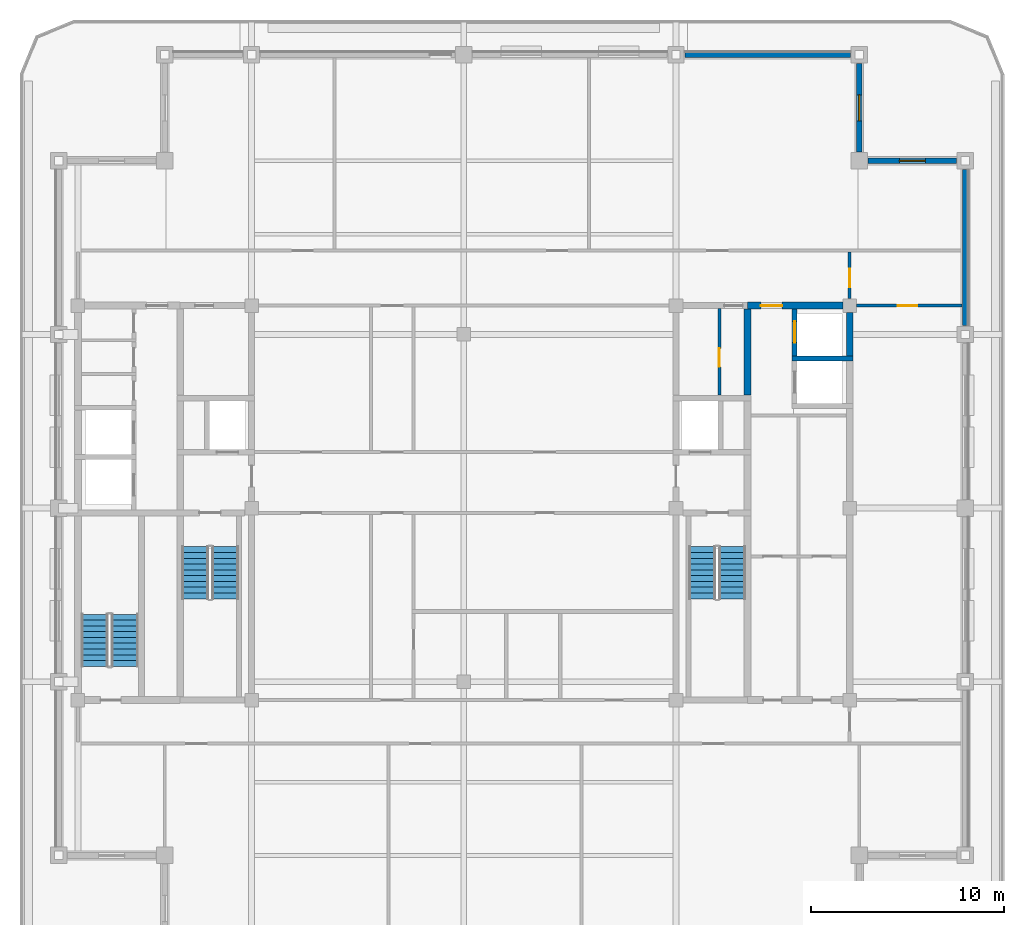
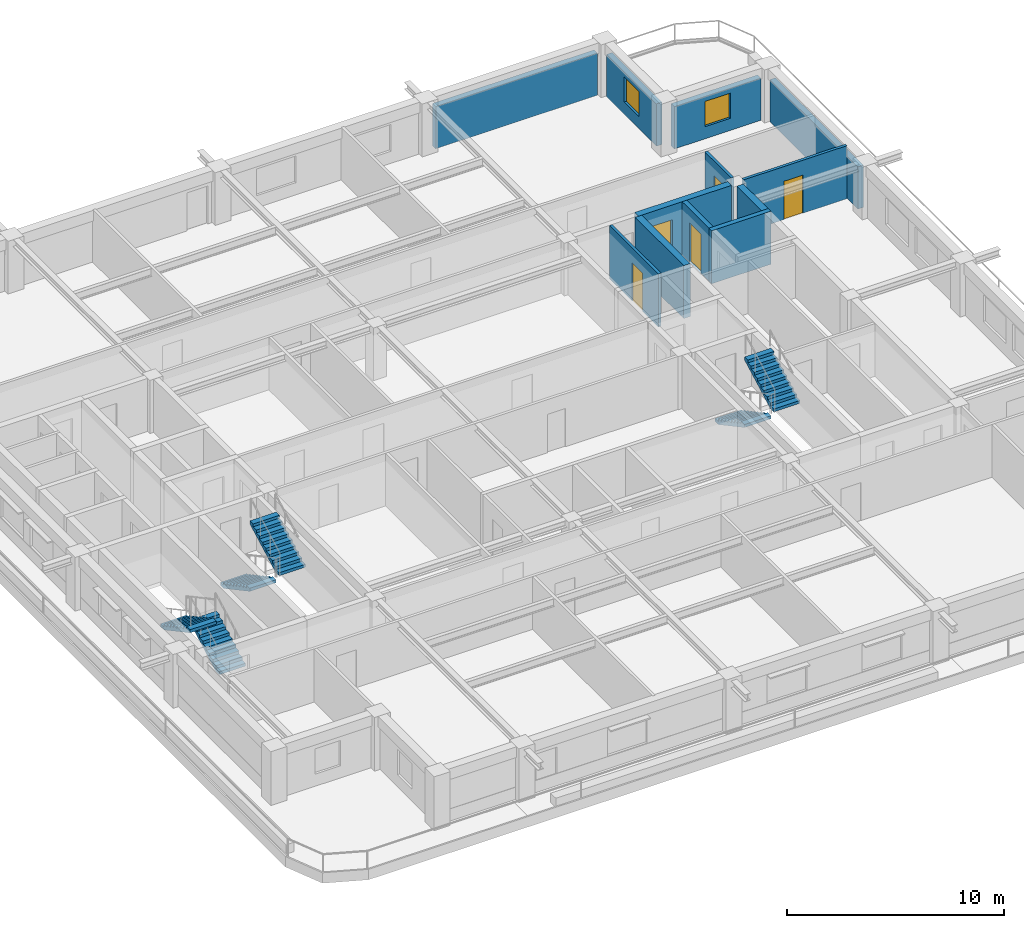
# One storey, part 6 of 11: 12 walls, 6 stair flights, 5 doors, 2 windows, 7 openings, 3 elements without a shape of their own.
"""IFC4 building model written with IfcOpenShell, lengths in metres."""

import ifcopenshell
import ifcopenshell.guid

model = None  # the IFC model being written
_history = None  # IfcOwnerHistory: only IFC2X3 demands one
_inside = {}  # id of a spatial element -> (the spatial element, [elements in it])
_under = {}  # id of a project, library or spatial element -> (it, [spatial elements below it])
_declared = {}  # id of a project -> (the project, [libraries it declares])
_typed = {}  # id of a type object -> (the type object, [elements of that type])
_made_of = {}  # id of a material, layer set ... -> (it, [elements and type objects made of it])


def new_model(schema):
    """Start an empty IFC model of exactly this schema.

    Asked for "IFC4X3", IfcOpenShell would pick the latest addendum, in which some entities
    have other attributes; the version numbers below select the first issue.
    IFC2X3 requires an IfcOwnerHistory on every rooted entity: one is made here for all.
    """
    global model, _history
    if schema == "IFC4X3":
        model = ifcopenshell.file(schema_version=(4, 3, 0, 0))
    else:
        model = ifcopenshell.file(schema=schema)
    _inside.clear()
    _under.clear()
    _declared.clear()
    _typed.clear()
    _made_of.clear()
    _history = None
    if model.schema == "IFC2X3":
        org = make("IfcOrganization", Name="unknown")
        user = make(
            "IfcPersonAndOrganization",
            ThePerson=make("IfcPerson", FamilyName="unknown"),
            TheOrganization=org,
        )
        app = make(
            "IfcApplication",
            ApplicationDeveloper=org,
            Version="unknown",
            ApplicationFullName="unknown",
            ApplicationIdentifier="unknown",
        )
        _history = make(
            "IfcOwnerHistory",
            OwningUser=user,
            OwningApplication=app,
            ChangeAction="ADDED",
            CreationDate=0,
        )
    return model


def make(cls, **values):
    """One entity of the class cls with the attributes given. An attribute that is None is left unset."""
    return model.create_entity(
        cls, **{name: value for name, value in values.items() if value is not None}
    )


def rooted(cls, **values):
    """An entity with a GlobalId (a new one), such as an element, a storey or a relation."""
    return make(cls, GlobalId=ifcopenshell.guid.new(), OwnerHistory=_history, **values)


def si_unit(unit_type, name, prefix=None):
    """IfcSIUnit, for example si_unit("LENGTHUNIT", "METRE", prefix="MILLI")."""
    return make("IfcSIUnit", UnitType=unit_type, Prefix=prefix, Name=name)


def assignment(units):
    """IfcUnitAssignment: the units of a project."""
    return None if units is None else make("IfcUnitAssignment", Units=units)


def point(xyz):
    """IfcCartesianPoint."""
    return None if xyz is None else make("IfcCartesianPoint", Coordinates=xyz)


def direction(xyz):
    """IfcDirection."""
    return None if xyz is None else make("IfcDirection", DirectionRatios=xyz)


def frame(location, z_axis=None, x_axis=None):
    """IfcAxis2Placement3D, a coordinate frame: its origin and axes. An axis left out is left unset."""
    return make(
        "IfcAxis2Placement3D",
        Location=point(location),
        Axis=direction(z_axis),
        RefDirection=direction(x_axis),
    )


def frame_2d(location, x_axis=None):
    """IfcAxis2Placement2D, a coordinate frame in the plane: its origin and x axis."""
    return make(
        "IfcAxis2Placement2D", Location=point(location), RefDirection=direction(x_axis)
    )


def origin():
    """The frame at (0, 0, 0) with its axes left unset."""
    return frame((0.0, 0.0, 0.0))


def place(relative_to, where):
    """IfcLocalPlacement: puts the frame where relative to a parent placement (None: the world)."""
    return make(
        "IfcLocalPlacement", PlacementRelTo=relative_to, RelativePlacement=where
    )


def context(
    kind, dimensions, precision=None, world=None, true_north=None, identifier=None
):
    """IfcGeometricRepresentationContext, for example the 3D "Model" context."""
    return make(
        "IfcGeometricRepresentationContext",
        ContextIdentifier=identifier,
        ContextType=kind,
        CoordinateSpaceDimension=dimensions,
        Precision=precision,
        WorldCoordinateSystem=world,
        TrueNorth=true_north,
    )


def subcontext(parent, identifier, kind, view, scale=None):
    """IfcGeometricRepresentationSubContext, for example "Body" below "Model"."""
    return make(
        "IfcGeometricRepresentationSubContext",
        ContextIdentifier=identifier,
        ContextType=kind,
        ParentContext=parent,
        TargetScale=scale,
        TargetView=view,
    )


def project(units=None, contexts=None):
    """IfcProject with its units and contexts."""
    return rooted(
        "IfcProject",
        Name="project",
        RepresentationContexts=contexts,
        UnitsInContext=assignment(units),
    )


def spatial(cls, under=None, at=None, **own):
    """A site, building, storey or space (cls), placed at a placement, below another one or the project."""
    s = rooted(cls, ObjectPlacement=at, **own)
    if under is not None:
        _under.setdefault(under.id(), (under, []))[1].append(s)
    return s


def polyline(points):
    """IfcPolyline through the points."""
    return make("IfcPolyline", Points=[point(p) for p in points])


def profile(cls, at=None, kind="AREA", **sizes):
    """A parametric profile (cls). Its sizes go by their IFC names, for example OverallWidth=200.0."""
    return make(cls, ProfileType=kind, Position=at, **sizes)


def rectangle(**sizes):
    """IfcRectangleProfileDef."""
    return profile("IfcRectangleProfileDef", **sizes)


def outline(outer, holes=None, kind="AREA"):
    """IfcArbitraryClosedProfileDef: a profile drawn as a closed curve; with holes, ...WithVoids."""
    if holes is None:
        return make("IfcArbitraryClosedProfileDef", ProfileType=kind, OuterCurve=outer)
    return make(
        "IfcArbitraryProfileDefWithVoids",
        ProfileType=kind,
        OuterCurve=outer,
        InnerCurves=holes,
    )


def extrude(swept, where, along, depth):
    """IfcExtrudedAreaSolid: the profile swept, set in the frame where, extruded along a direction by depth."""
    return make(
        "IfcExtrudedAreaSolid",
        SweptArea=swept,
        Position=where,
        ExtrudedDirection=direction(along),
        Depth=depth,
    )


def shape(context_of_items, identifier, shape_type, items):
    """IfcShapeRepresentation: the items that make up one representation, for example the "Body"."""
    return make(
        "IfcShapeRepresentation",
        ContextOfItems=context_of_items,
        RepresentationIdentifier=identifier,
        RepresentationType=shape_type,
        Items=items,
    )


def material(Name=None, Category=None):
    """IfcMaterial."""
    return make("IfcMaterial", Name=Name, Category=Category)


def layer(
    of_material, thickness, ventilated=None, Name=None, Category=None, Priority=None
):
    """IfcMaterialLayer: one layer of a wall or slab, of a material (None: an air gap)."""
    return make(
        "IfcMaterialLayer",
        Material=of_material,
        LayerThickness=thickness,
        IsVentilated=ventilated,
        Name=Name,
        Category=Category,
        Priority=Priority,
    )


def layer_set(layers, Name=None):
    """IfcMaterialLayerSet."""
    return make("IfcMaterialLayerSet", MaterialLayers=layers, LayerSetName=Name)


def made_of(thing, what):
    """Note that an element or type object is made of a material, layer set ...; save() writes the relation."""
    if what is not None:
        _made_of.setdefault(what.id(), (what, []))[1].append(thing)
    return thing


def type_object(cls, material=None, **own):
    """A type object (cls), such as IfcWallType, which elements share."""
    return made_of(rooted(cls, **own), material)


def element(
    cls,
    number,
    at=None,
    inside=None,
    cuts=None,
    type_object=None,
    material=None,
    context=None,
    identifier="Body",
    shape_type=None,
    held_by="IfcProductDefinitionShape",
    body=None,
    shapes=None,
    **own,
):
    """One element of the class cls, such as IfcWall. Its Tag is "e" and its number.

    at: its placement. inside: the storey or other place that contains it. cuts: it is an
    opening in that element (IfcRelVoidsElement). A single representation is given by context,
    identifier, shape_type and body (its items); several are given by shapes. held_by: the class
    of the entity that holds the representations. save() writes the other relations.
    """
    e = rooted(cls, Tag="e%d" % number, ObjectPlacement=at, **own)
    if body is not None:
        shapes = [shape(context, identifier, shape_type, body)]
    if shapes is not None:
        e.Representation = make(held_by, Representations=shapes)
    if inside is not None:
        _inside.setdefault(inside.id(), (inside, []))[1].append(e)
    if cuts is not None:
        rooted(
            "IfcRelVoidsElement", RelatingBuildingElement=cuts, RelatedOpeningElement=e
        )
    if type_object is not None:
        _typed.setdefault(type_object.id(), (type_object, []))[1].append(e)
    return made_of(e, material)


def fill(opening, filler):
    """IfcRelFillsElement: the door or window that sits in an opening."""
    return rooted(
        "IfcRelFillsElement",
        RelatingOpeningElement=opening,
        RelatedBuildingElement=filler,
    )


def aggregate(whole, parts):
    """IfcRelAggregates: a whole, such as a stair, and the parts it consists of."""
    return rooted("IfcRelAggregates", RelatingObject=whole, RelatedObjects=parts)


def save(model, path):
    """Write the relations noted so far, then the file.

    IfcRelAggregates (storeys below a building ...), IfcRelContainedInSpatialStructure (elements
    in a storey), IfcRelDefinesByType, IfcRelAssociatesMaterial and IfcRelDeclares: one each for
    every whole, place, type object, material and project.
    """
    for whole, parts in _under.values():
        aggregate(whole, parts)
    for where, things in _inside.values():
        rooted(
            "IfcRelContainedInSpatialStructure",
            RelatedElements=things,
            RelatingStructure=where,
        )
    for kind, things in _typed.values():
        rooted("IfcRelDefinesByType", RelatedObjects=things, RelatingType=kind)
    for what, things in _made_of.values():
        rooted("IfcRelAssociatesMaterial", RelatedObjects=things, RelatingMaterial=what)
    for by, libraries in _declared.values():
        rooted("IfcRelDeclares", RelatingContext=by, RelatedDefinitions=libraries)
    model.write(path)


model = new_model("IFC4")

# Units and contexts
model_context = context("Model", 3, precision=1e-05, world=origin(), true_north=direction((0.0, 1.0)))
body_context = subcontext(model_context, "Body", "Model", "MODEL_VIEW")
ifc_project = project(units=[si_unit("LENGTHUNIT", "METRE"), si_unit("AREAUNIT", "SQUARE_METRE"), si_unit("VOLUMEUNIT", "CUBIC_METRE"), si_unit("PLANEANGLEUNIT", "RADIAN"), si_unit("MASSUNIT", "GRAM", prefix="KILO")], contexts=[model_context])

# Site, building, storey
site_placement = place(None, origin())
site = spatial("IfcSite", under=ifc_project, at=site_placement, CompositionType="ELEMENT")
building_placement = place(site_placement, origin())
building = spatial("IfcBuilding", under=site, at=building_placement, Name="Zulmaris Gate Convention Tower", CompositionType="ELEMENT")
storey_placement = place(building_placement, frame((0.0, 0.0, 230.050048828125)))
storey = spatial("IfcBuildingStorey", under=building, at=storey_placement, Name="L60", CompositionType="ELEMENT", Elevation=230.050048828125)

# Wall
ifc_material_1 = material(Name="Concrete C50/60", Category="concrete")
ifc_layer_1 = layer(ifc_material_1, 0.25, Name="Concrete C50/60")
ifc_layer_set_1 = layer_set([ifc_layer_1], Name="Concrete C50/60")
wall_type_1 = type_object("IfcWallType", Name="CORE-250", PredefinedType="SOLIDWALL", material=ifc_layer_set_1)
wall_1_placement = place(storey_placement, frame((17.02490234375, 7.75, 0.0), z_axis=(0.0, 0.0, 1.0), x_axis=(1.0, 0.0, 0.0)))
element("IfcWall", 1, at=wall_1_placement, inside=storey, type_object=wall_type_1, Name="WL-L60-014", PredefinedType="SOLIDWALL", context=body_context, shape_type="SweptSolid", body=[
    extrude(rectangle(XDim=3.150146484375, YDim=0.25, at=frame_2d((1.5751953125, 0.0))), origin(), (0.0, 0.0, 1.0), 2.97998046875),
])

# Wall, opening, door
wall_2_placement = place(storey_placement, frame((17.14990234375, 7.876953125, 0.0), z_axis=(0.0, 0.0, 1.0), x_axis=(0.0, 1.0, 0.0)))
wall_2 = element("IfcWall", 2, at=wall_2_placement, inside=storey, type_object=wall_type_1, Name="WL-L60-060", PredefinedType="SOLIDWALL", context=body_context, shape_type="SweptSolid", body=[
    extrude(rectangle(XDim=2.446044921875, YDim=0.25, at=frame_2d((1.22314453125, 0.0))), origin(), (0.0, 0.0, 1.0), 2.97998046875),
])
opening_1_placement = place(wall_2_placement, frame((0.697998046875, 0.0, 0.0)))
opening_1 = element("IfcOpeningElement", 3, at=opening_1_placement, cuts=wall_2, Name="Opening D-06", PredefinedType="OPENING", context=body_context, shape_type="SweptSolid", body=[
    extrude(rectangle(XDim=1.10009765625, YDim=2.199951171875, at=frame_2d((0.550048828125, 1.10009765625))), frame((0.0, 0.135009765625, 0.0), z_axis=(0.0, -1.0, 0.0), x_axis=(1.0, 0.0, 0.0)), (0.0, 0.0, 1.0), 0.27001953125),
])
ifc_material_2 = material(Name="Brushed Stainless Steel", Category="steel")
door_type_1 = type_object("IfcDoorType", Name="LD-1100", OperationType="NOTDEFINED", PredefinedType="DOOR", material=ifc_material_2)
door_1_placement = place(opening_1_placement, origin())
door_1 = element("IfcDoor", 4, at=door_1_placement, inside=storey, type_object=door_type_1, Name="L60 Lift Landing Door HP-02 18", OperationType="SLIDING_TO_RIGHT", OverallHeight=2.199951171875, OverallWidth=1.10009765625, PredefinedType="DOOR", context=body_context, shape_type="SweptSolid", body=[
    extrude(rectangle(XDim=1.10009765625, YDim=2.199951171875, at=frame_2d((0.550048828125, 1.10009765625))), frame((0.0, 0.02490234375, 0.0), z_axis=(0.0, -1.0, 0.0), x_axis=(1.0, 0.0, 0.0)), (0.0, 0.0, 1.0), 0.050048828125),
])
fill(opening_1, door_1)

ifc_material_3 = material(Name="Concrete C55/67", Category="concrete")
ifc_layer_2 = layer(ifc_material_3, 0.35009765625, Name="Concrete C55/67")
ifc_layer_set_2 = layer_set([ifc_layer_2], Name="Concrete C55/67")
wall_type_2 = type_object("IfcWallType", Name="CORE-350", PredefinedType="SHEAR", material=ifc_layer_set_2)
wall_3_placement = place(storey_placement, frame((14.699951171875, 10.5, 0.0), z_axis=(0.0, 0.0, 1.0), x_axis=(1.0, 0.0, 0.0)))
wall_3 = element("IfcWall", 5, at=wall_3_placement, inside=storey, type_object=wall_type_2, Name="WL-L60-018", PredefinedType="SHEAR", context=body_context, shape_type="SweptSolid", body=[
    extrude(rectangle(XDim=4.946044921875, YDim=0.35009765625, at=frame_2d((2.47314453125, 0.0))), origin(), (0.0, 0.0, 1.0), 2.97998046875),
])
opening_2_placement = place(wall_3_placement, frame((0.699951171875, 0.0, 0.0)))
opening_2 = element("IfcOpeningElement", 6, at=opening_2_placement, cuts=wall_3, Name="Opening D-08", PredefinedType="OPENING", context=body_context, shape_type="SweptSolid", body=[
    extrude(rectangle(XDim=1.10009765625, YDim=2.14990234375, at=frame_2d((0.550048828125, 1.074951171875))), frame((0.0, 0.18505859375, 0.0), z_axis=(0.0, -1.0, 0.0), x_axis=(1.0, 0.0, 0.0)), (0.0, 0.0, 1.0), 0.3701171875),
])
ifc_material_4 = material(Name="Fire-Rated Steel", Category="steel")
door_type_2 = type_object("IfcDoorType", Name="DR-1100-FD", OperationType="NOTDEFINED", PredefinedType="DOOR", material=ifc_material_4)
door_2_placement = place(opening_2_placement, origin())
door_2 = element("IfcDoor", 7, at=door_2_placement, inside=storey, type_object=door_type_2, Name="L60 High-Rise East Lift Lobby Door 19", OperationType="SINGLE_SWING_LEFT", OverallHeight=2.14990234375, OverallWidth=1.10009765625, PredefinedType="DOOR", context=body_context, shape_type="SweptSolid", body=[
    extrude(rectangle(XDim=1.10009765625, YDim=2.14990234375, at=frame_2d((0.550048828125, 1.074951171875))), frame((0.0, 0.02490234375, 0.0), z_axis=(0.0, -1.0, 0.0), x_axis=(1.0, 0.0, 0.0)), (0.0, 0.0, 1.0), 0.050048828125),
])
fill(opening_2, door_2)

# Walls
wall_4_placement = place(storey_placement, frame((14.699951171875, 5.85205078125, 0.0), z_axis=(0.0, 0.0, 1.0), x_axis=(0.0, 1.0, 0.0)))
element("IfcWall", 8, at=wall_4_placement, inside=storey, type_object=wall_type_2, Name="WL-L60-058", PredefinedType="SHEAR", context=body_context, shape_type="SweptSolid", body=[
    extrude(rectangle(XDim=4.470947265625, YDim=0.35009765625, at=frame_2d((2.2353515625, 0.0))), origin(), (0.0, 0.0, 1.0), 2.97998046875),
])
wall_5_placement = place(storey_placement, frame((20.0, 7.876953125, 0.0), z_axis=(0.0, 0.0, 1.0), x_axis=(0.0, 1.0, 0.0)))
element("IfcWall", 9, at=wall_5_placement, inside=storey, type_object=wall_type_2, Name="WL-L60-063", PredefinedType="SHEAR", context=body_context, shape_type="SweptSolid", body=[
    extrude(rectangle(XDim=2.26904296875, YDim=0.35009765625, at=frame_2d((1.134521484375, 0.0))), origin(), (0.0, 0.0, 1.0), 2.97998046875),
])

# Wall, opening, door
ifc_material_5 = material(Name="Gypsum Metal Stud Partition")
ifc_layer_3 = layer(ifc_material_5, 0.14990234375, Name="Gypsum Metal Stud Partition")
ifc_layer_set_3 = layer_set([ifc_layer_3], Name="Gypsum Metal Stud Partition")
wall_type_3 = type_object("IfcWallType", Name="PART-150", PredefinedType="PARTITIONING", material=ifc_layer_set_3)
wall_6_placement = place(storey_placement, frame((20.35595703125, 10.5, 0.0), z_axis=(0.0, 0.0, 1.0), x_axis=(1.0, 0.0, 0.0)))
wall_6 = element("IfcWall", 10, at=wall_6_placement, inside=storey, type_object=wall_type_3, Name="WL-L60-030", PredefinedType="PARTITIONING", context=body_context, shape_type="SweptSolid", body=[
    extrude(rectangle(XDim=5.47900390625, YDim=0.14990234375, at=frame_2d((2.739501953125, 0.0))), origin(), (0.0, 0.0, 1.0), 2.97998046875),
])
opening_3_placement = place(wall_6_placement, frame((2.14404296875, 0.0, 0.0)))
opening_3 = element("IfcOpeningElement", 11, at=opening_3_placement, cuts=wall_6, Name="Opening D-10", PredefinedType="OPENING", context=body_context, shape_type="SweptSolid", body=[
    extrude(rectangle(XDim=1.0, YDim=2.14990234375, at=frame_2d((0.5, 1.074951171875))), frame((0.0, 0.0849609375, 0.0), z_axis=(0.0, -1.0, 0.0), x_axis=(1.0, 0.0, 0.0)), (0.0, 0.0, 1.0), 0.169921875),
])
ifc_material_6 = material(Name="Fire-Rated Timber", Category="wood")
door_type_3 = type_object("IfcDoorType", Name="DR-1000-FD", OperationType="NOTDEFINED", PredefinedType="DOOR", material=ifc_material_6)
door_3_placement = place(opening_3_placement, origin())
door_3 = element("IfcDoor", 12, at=door_3_placement, inside=storey, type_object=door_type_3, Name="L60 East Workplace North Door 43", OperationType="SINGLE_SWING_LEFT", OverallHeight=2.14990234375, OverallWidth=1.0, PredefinedType="DOOR", context=body_context, shape_type="SweptSolid", body=[
    extrude(rectangle(XDim=1.0, YDim=2.14990234375, at=frame_2d((0.5, 1.074951171875))), frame((0.0, 0.02490234375, 0.0), z_axis=(0.0, -1.0, 0.0), x_axis=(1.0, 0.0, 0.0)), (0.0, 0.0, 1.0), 0.050048828125),
])
fill(opening_3, door_3)

wall_7_placement = place(storey_placement, frame((13.25, 5.85302734375, 0.0), z_axis=(0.0, 0.0, 1.0), x_axis=(0.0, 1.0, 0.0)))
wall_7 = element("IfcWall", 13, at=wall_7_placement, inside=storey, type_object=wall_type_3, Name="WL-L60-081", PredefinedType="PARTITIONING", context=body_context, shape_type="SweptSolid", body=[
    extrude(rectangle(XDim=4.493896484375, YDim=0.14990234375, at=frame_2d((2.2470703125, 0.0))), origin(), (0.0, 0.0, 1.0), 2.97998046875),
])
opening_4_placement = place(wall_7_placement, frame((1.471923828125, 0.0, 0.0)))
opening_4 = element("IfcOpeningElement", 14, at=opening_4_placement, cuts=wall_7, Name="Opening D-11", PredefinedType="OPENING", context=body_context, shape_type="SweptSolid", body=[
    extrude(rectangle(XDim=0.949951171875, YDim=2.14990234375, at=frame_2d((0.47509765625, 1.074951171875))), frame((0.0, 0.0849609375, 0.0), z_axis=(0.0, -1.0, 0.0), x_axis=(1.0, 0.0, 0.0)), (0.0, 0.0, 1.0), 0.169921875),
])
door_type_4 = type_object("IfcDoorType", Name="DR-950-FD", OperationType="NOTDEFINED", PredefinedType="DOOR", material=ifc_material_6)
door_4_placement = place(opening_4_placement, origin())
door_4 = element("IfcDoor", 15, at=door_4_placement, inside=storey, type_object=door_type_4, Name="L60 Core Service Pantry Door 09", OperationType="SINGLE_SWING_LEFT", OverallHeight=2.14990234375, OverallWidth=0.949951171875, PredefinedType="DOOR", context=body_context, shape_type="SweptSolid", body=[
    extrude(rectangle(XDim=0.949951171875, YDim=2.14990234375, at=frame_2d((0.47509765625, 1.074951171875))), frame((0.0, 0.02490234375, 0.0), z_axis=(0.0, -1.0, 0.0), x_axis=(1.0, 0.0, 0.0)), (0.0, 0.0, 1.0), 0.050048828125),
])
fill(opening_4, door_4)

wall_8_placement = place(storey_placement, frame((20.0, 10.85595703125, 0.0), z_axis=(0.0, 0.0, 1.0), x_axis=(0.0, 1.0, 0.0)))
wall_8 = element("IfcWall", 16, at=wall_8_placement, inside=storey, type_object=wall_type_3, Name="WL-L60-085", PredefinedType="PARTITIONING", context=body_context, shape_type="SweptSolid", body=[
    extrude(rectangle(XDim=2.416015625, YDim=0.14990234375, at=frame_2d((1.2080078125, 0.0))), origin(), (0.0, 0.0, 1.0), 2.97998046875),
])
opening_5_placement = place(wall_8_placement, frame((0.59912109375, 0.0, 0.0)))
opening_5 = element("IfcOpeningElement", 17, at=opening_5_placement, cuts=wall_8, Name="Opening D-11", PredefinedType="OPENING", context=body_context, shape_type="SweptSolid", body=[
    extrude(rectangle(XDim=0.949951171875, YDim=2.14990234375, at=frame_2d((0.47509765625, 1.074951171875))), frame((0.0, 0.0849609375, 0.0), z_axis=(0.0, -1.0, 0.0), x_axis=(1.0, 0.0, 0.0)), (0.0, 0.0, 1.0), 0.169921875),
])
door_5_placement = place(opening_5_placement, origin())
door_5 = element("IfcDoor", 18, at=door_5_placement, inside=storey, type_object=door_type_4, Name="L60 NE Spur Door 41", OperationType="SINGLE_SWING_LEFT", OverallHeight=2.14990234375, OverallWidth=0.949951171875, PredefinedType="DOOR", context=body_context, shape_type="SweptSolid", body=[
    extrude(rectangle(XDim=0.949951171875, YDim=2.14990234375, at=frame_2d((0.47509765625, 1.074951171875))), frame((0.0, 0.02490234375, 0.0), z_axis=(0.0, -1.0, 0.0), x_axis=(1.0, 0.0, 0.0)), (0.0, 0.0, 1.0), 0.050048828125),
])
fill(opening_5, door_5)

# Wall, opening, window
ifc_material_7 = material(Name="Precast concrete C40/50", Category="concrete")
ifc_layer_4 = layer(ifc_material_7, 0.300048828125, Name="Precast concrete C40/50")
ifc_layer_set_4 = layer_set([ifc_layer_4], Name="Precast concrete C40/50")
wall_type_4 = type_object("IfcWallType", Name="PRECAST-PIER-300", PredefinedType="STANDARD", material=ifc_layer_set_4)
wall_9_placement = place(storey_placement, frame((25.544921875, 18.0, 0.0), z_axis=(0.0, 0.0, 1.0), x_axis=(-1.0, 0.0, 0.0)))
wall_9 = element("IfcWall", 19, at=wall_9_placement, inside=storey, type_object=wall_type_4, Name="EW-L60-NOTCH-NE1_0", PredefinedType="STANDARD", context=body_context, shape_type="SweptSolid", body=[
    extrude(rectangle(XDim=4.58984375, YDim=0.300048828125, at=frame_2d((2.294921875, 0.0))), origin(), (0.0, 0.0, 1.0), 2.3720703125),
])
opening_6_placement = place(wall_9_placement, frame((1.6201171875, 0.0, 0.679931640625)))
opening_6 = element("IfcOpeningElement", 20, at=opening_6_placement, cuts=wall_9, Name="Opening W-10", PredefinedType="OPENING", context=body_context, shape_type="SweptSolid", body=[
    extrude(rectangle(XDim=1.35009765625, YDim=1.419921875, at=frame_2d((0.675048828125, 0.7099609375))), frame((0.0, 0.16015625, 0.0), z_axis=(0.0, -1.0, 0.0), x_axis=(1.0, 0.0, 0.0)), (0.0, 0.0, 1.0), 0.320068359375),
])
ifc_material_8 = material(Name="Low-E Laminated Double Glazing in Aluminium Frame", Category="aluminium")
window_type = type_object("IfcWindowType", Name="WIN-1350x2000", PartitioningType="SINGLE_PANEL", PredefinedType="WINDOW", material=ifc_material_8)
window_1_placement = place(opening_6_placement, origin())
window_1 = element("IfcWindow", 21, at=window_1_placement, inside=storey, type_object=window_type, Name="WN-EW-L60-NOTCH-NE1_0", OverallHeight=1.419921875, OverallWidth=1.35009765625, PartitioningType="SINGLE_PANEL", PredefinedType="WINDOW", context=body_context, shape_type="SweptSolid", body=[
    extrude(rectangle(XDim=1.35009765625, YDim=1.419921875, at=frame_2d((0.675048828125, 0.7099609375))), frame((0.0, 0.030029296875, 0.0), z_axis=(0.0, -1.0, 0.0), x_axis=(1.0, 0.0, 0.0)), (0.0, 0.0, 1.0), 0.06005859375),
])
fill(opening_6, window_1)

wall_10_placement = place(storey_placement, frame((20.5, 18.455078125, 0.0), z_axis=(0.0, 0.0, 1.0), x_axis=(0.0, 1.0, 0.0)))
wall_10 = element("IfcWall", 22, at=wall_10_placement, inside=storey, type_object=wall_type_4, Name="EW-L60-NOTCH-NE2_0", PredefinedType="STANDARD", context=body_context, shape_type="SweptSolid", body=[
    extrude(rectangle(XDim=4.58984375, YDim=0.300048828125, at=frame_2d((2.294921875, 0.0))), origin(), (0.0, 0.0, 1.0), 2.3720703125),
])
opening_7_placement = place(wall_10_placement, frame((1.6201171875, 0.0, 0.679931640625)))
opening_7 = element("IfcOpeningElement", 23, at=opening_7_placement, cuts=wall_10, Name="Opening W-10", PredefinedType="OPENING", context=body_context, shape_type="SweptSolid", body=[
    extrude(rectangle(XDim=1.35009765625, YDim=1.419921875, at=frame_2d((0.675048828125, 0.7099609375))), frame((0.0, 0.16015625, 0.0), z_axis=(0.0, -1.0, 0.0), x_axis=(1.0, 0.0, 0.0)), (0.0, 0.0, 1.0), 0.320068359375),
])
window_2_placement = place(opening_7_placement, origin())
window_2 = element("IfcWindow", 24, at=window_2_placement, inside=storey, type_object=window_type, Name="WN-EW-L60-NOTCH-NE2_0", OverallHeight=1.419921875, OverallWidth=1.35009765625, PartitioningType="SINGLE_PANEL", PredefinedType="WINDOW", context=body_context, shape_type="SweptSolid", body=[
    extrude(rectangle(XDim=1.35009765625, YDim=1.419921875, at=frame_2d((0.675048828125, 0.7099609375))), frame((0.0, 0.030029296875, 0.0), z_axis=(0.0, -1.0, 0.0), x_axis=(1.0, 0.0, 0.0)), (0.0, 0.0, 1.0), 0.06005859375),
])
fill(opening_7, window_2)

# Walls
wall_11_placement = place(storey_placement, frame((20.044921875, 23.5, 0.0), z_axis=(0.0, 0.0, 1.0), x_axis=(-1.0, 0.0, 0.0)))
element("IfcWall", 25, at=wall_11_placement, inside=storey, type_object=wall_type_4, Name="EW-L60-N-3_0", PredefinedType="STANDARD", context=body_context, shape_type="SweptSolid", body=[
    extrude(rectangle(XDim=8.58984375, YDim=0.300048828125, at=frame_2d((4.294921875, 0.0))), origin(), (0.0, 0.0, 1.0), 2.3720703125),
])
wall_12_placement = place(storey_placement, frame((26.0, 9.455078125, 0.0), z_axis=(0.0, 0.0, 1.0), x_axis=(0.0, 1.0, 0.0)))
element("IfcWall", 26, at=wall_12_placement, inside=storey, type_object=wall_type_4, Name="EW-L60-E-3_0", PredefinedType="STANDARD", context=body_context, shape_type="SweptSolid", body=[
    extrude(rectangle(XDim=8.08984375, YDim=0.300048828125, at=frame_2d((4.044921875, 0.0))), origin(), (0.0, 0.0, 1.0), 2.3720703125),
])

# Stair, stair flights
ifc_material_9 = material(Name="Concrete C45/55", Category="concrete")
stair_type = type_object("IfcStairType", Name="ST-CORE-DOGLEG", PredefinedType="HALF_TURN_STAIR", material=ifc_material_9)
stair_1_placement = place(storey_placement, origin())
stair_1 = element("IfcStair", 27, at=stair_1_placement, inside=storey, type_object=stair_type, Name="L60 Core Exit Stair ST-1", PredefinedType="HALF_TURN_STAIR")
ifc_layer_5 = layer(ifc_material_9, 0.14990234375, Name="Concrete C45/55")
ifc_layer_set_5 = layer_set([ifc_layer_5], Name="Concrete C45/55")
stair_flight_type = type_object("IfcStairFlightType", Name="STF-RC150", PredefinedType="STRAIGHT", material=ifc_layer_set_5)
stair_flight_1_placement = place(storey_placement, frame((-13.919921875, -2.0, 0.0), z_axis=(0.0, 0.0, 1.0), x_axis=(0.0, -1.0, 0.0)))
stair_flight_1 = element("IfcStairFlight", 28, at=stair_flight_1_placement, type_object=stair_flight_type, Name="ST-1 flight 1", NumberOfRisers=10, NumberOfTreads=9, PredefinedType="STRAIGHT", RiserHeight=0.1615, TreadLength=0.3, context=body_context, shape_type="SweptSolid", body=[
    extrude(outline(polyline([(0.0, 0.0), (0.0, 0.16162109375), (0.300048828125, 0.16162109375), (0.300048828125, 0.322998046875), (0.60009765625, 0.322998046875), (0.60009765625, 0.484619140625), (0.89990234375, 0.484619140625), (0.89990234375, 0.64599609375), (1.199951171875, 0.64599609375), (1.199951171875, 0.8076171875), (1.5, 0.8076171875), (1.5, 0.968994140625), (1.800048828125, 0.968994140625), (1.800048828125, 1.130615234375), (2.10009765625, 1.130615234375), (2.10009765625, 1.2919921875), (2.39990234375, 1.2919921875), (2.39990234375, 1.45361328125), (2.699951171875, 1.45361328125), (2.699951171875, 1.614990234375), (2.699951171875, 1.283203125), (0.316162109375, 0.0), (0.0, 0.0)])), frame((0.0, 0.699951171875, 0.0), z_axis=(0.0, -1.0, 0.0), x_axis=(1.0, 0.0, 0.0)), (0.0, 0.0, 1.0), 1.39990234375),
])
stair_flight_2_placement = place(storey_placement, frame((-12.360107421875, -4.699951171875, 1.614990234375), z_axis=(0.0, 0.0, 1.0), x_axis=(0.0, 1.0, 0.0)))
stair_flight_2 = element("IfcStairFlight", 29, at=stair_flight_2_placement, type_object=stair_flight_type, Name="ST-1 flight 2", NumberOfRisers=10, NumberOfTreads=9, PredefinedType="STRAIGHT", RiserHeight=0.1615, TreadLength=0.3, context=body_context, shape_type="SweptSolid", body=[
    extrude(outline(polyline([(0.0, 0.0), (0.0, 0.16162109375), (0.300048828125, 0.16162109375), (0.300048828125, 0.322998046875), (0.60009765625, 0.322998046875), (0.60009765625, 0.484619140625), (0.89990234375, 0.484619140625), (0.89990234375, 0.64599609375), (1.199951171875, 0.64599609375), (1.199951171875, 0.8076171875), (1.5, 0.8076171875), (1.5, 0.968994140625), (1.800048828125, 0.968994140625), (1.800048828125, 1.130615234375), (2.10009765625, 1.130615234375), (2.10009765625, 1.2919921875), (2.39990234375, 1.2919921875), (2.39990234375, 1.45361328125), (2.699951171875, 1.45361328125), (2.699951171875, 1.614990234375), (2.699951171875, 1.283203125), (0.316162109375, 0.0), (0.0, 0.0)])), frame((0.0, 0.699951171875, 0.0), z_axis=(0.0, -1.0, 0.0), x_axis=(1.0, 0.0, 0.0)), (0.0, 0.0, 1.0), 1.39990234375),
])
aggregate(stair_1, [stair_flight_1, stair_flight_2])

stair_2_placement = place(storey_placement, origin())
stair_2 = element("IfcStair", 30, at=stair_2_placement, inside=storey, type_object=stair_type, Name="L60 Core Exit Stair ST-2", PredefinedType="HALF_TURN_STAIR")
stair_flight_3_placement = place(storey_placement, frame((12.360107421875, -2.0, 0.0), z_axis=(0.0, 0.0, 1.0), x_axis=(0.0, -1.0, 0.0)))
stair_flight_3 = element("IfcStairFlight", 31, at=stair_flight_3_placement, type_object=stair_flight_type, Name="ST-2 flight 1", NumberOfRisers=10, NumberOfTreads=9, PredefinedType="STRAIGHT", RiserHeight=0.1615, TreadLength=0.3, context=body_context, shape_type="SweptSolid", body=[
    extrude(outline(polyline([(0.0, 0.0), (0.0, 0.16162109375), (0.300048828125, 0.16162109375), (0.300048828125, 0.322998046875), (0.60009765625, 0.322998046875), (0.60009765625, 0.484619140625), (0.89990234375, 0.484619140625), (0.89990234375, 0.64599609375), (1.199951171875, 0.64599609375), (1.199951171875, 0.8076171875), (1.5, 0.8076171875), (1.5, 0.968994140625), (1.800048828125, 0.968994140625), (1.800048828125, 1.130615234375), (2.10009765625, 1.130615234375), (2.10009765625, 1.2919921875), (2.39990234375, 1.2919921875), (2.39990234375, 1.45361328125), (2.699951171875, 1.45361328125), (2.699951171875, 1.614990234375), (2.699951171875, 1.283203125), (0.316162109375, 0.0), (0.0, 0.0)])), frame((0.0, 0.699951171875, 0.0), z_axis=(0.0, -1.0, 0.0), x_axis=(1.0, 0.0, 0.0)), (0.0, 0.0, 1.0), 1.39990234375),
])
stair_flight_4_placement = place(storey_placement, frame((13.919921875, -4.699951171875, 1.614990234375), z_axis=(0.0, 0.0, 1.0), x_axis=(0.0, 1.0, 0.0)))
stair_flight_4 = element("IfcStairFlight", 32, at=stair_flight_4_placement, type_object=stair_flight_type, Name="ST-2 flight 2", NumberOfRisers=10, NumberOfTreads=9, PredefinedType="STRAIGHT", RiserHeight=0.1615, TreadLength=0.3, context=body_context, shape_type="SweptSolid", body=[
    extrude(outline(polyline([(0.0, 0.0), (0.0, 0.16162109375), (0.300048828125, 0.16162109375), (0.300048828125, 0.322998046875), (0.60009765625, 0.322998046875), (0.60009765625, 0.484619140625), (0.89990234375, 0.484619140625), (0.89990234375, 0.64599609375), (1.199951171875, 0.64599609375), (1.199951171875, 0.8076171875), (1.5, 0.8076171875), (1.5, 0.968994140625), (1.800048828125, 0.968994140625), (1.800048828125, 1.130615234375), (2.10009765625, 1.130615234375), (2.10009765625, 1.2919921875), (2.39990234375, 1.2919921875), (2.39990234375, 1.45361328125), (2.699951171875, 1.45361328125), (2.699951171875, 1.614990234375), (2.699951171875, 1.283203125), (0.316162109375, 0.0), (0.0, 0.0)])), frame((0.0, 0.699951171875, 0.0), z_axis=(0.0, -1.0, 0.0), x_axis=(1.0, 0.0, 0.0)), (0.0, 0.0, 1.0), 1.39990234375),
])
aggregate(stair_2, [stair_flight_3, stair_flight_4])

stair_3_placement = place(storey_placement, origin())
stair_3 = element("IfcStair", 33, at=stair_3_placement, inside=storey, type_object=stair_type, Name="L60 Core Exit Stair ST-3", PredefinedType="HALF_TURN_STAIR")
stair_flight_5_placement = place(storey_placement, frame((-17.56005859375, -8.199951171875, 0.0), z_axis=(0.0, 0.0, 1.0), x_axis=(0.0, 1.0, 0.0)))
stair_flight_5 = element("IfcStairFlight", 34, at=stair_flight_5_placement, type_object=stair_flight_type, Name="ST-3 flight 1", NumberOfRisers=10, NumberOfTreads=9, PredefinedType="STRAIGHT", RiserHeight=0.1615, TreadLength=0.3, context=body_context, shape_type="SweptSolid", body=[
    extrude(outline(polyline([(0.0, 0.0), (0.0, 0.16162109375), (0.300048828125, 0.16162109375), (0.300048828125, 0.322998046875), (0.60009765625, 0.322998046875), (0.60009765625, 0.484619140625), (0.89990234375, 0.484619140625), (0.89990234375, 0.64599609375), (1.199951171875, 0.64599609375), (1.199951171875, 0.8076171875), (1.5, 0.8076171875), (1.5, 0.968994140625), (1.800048828125, 0.968994140625), (1.800048828125, 1.130615234375), (2.10009765625, 1.130615234375), (2.10009765625, 1.2919921875), (2.39990234375, 1.2919921875), (2.39990234375, 1.45361328125), (2.699951171875, 1.45361328125), (2.699951171875, 1.614990234375), (2.699951171875, 1.283203125), (0.316162109375, 0.0), (0.0, 0.0)])), frame((0.0, 0.699951171875, 0.0), z_axis=(0.0, -1.0, 0.0), x_axis=(1.0, 0.0, 0.0)), (0.0, 0.0, 1.0), 1.39990234375),
])
stair_flight_6_placement = place(storey_placement, frame((-19.1201171875, -5.5, 1.614990234375), z_axis=(0.0, 0.0, 1.0), x_axis=(0.0, -1.0, 0.0)))
stair_flight_6 = element("IfcStairFlight", 35, at=stair_flight_6_placement, type_object=stair_flight_type, Name="ST-3 flight 2", NumberOfRisers=10, NumberOfTreads=9, PredefinedType="STRAIGHT", RiserHeight=0.1615, TreadLength=0.3, context=body_context, shape_type="SweptSolid", body=[
    extrude(outline(polyline([(0.0, 0.0), (0.0, 0.16162109375), (0.300048828125, 0.16162109375), (0.300048828125, 0.322998046875), (0.60009765625, 0.322998046875), (0.60009765625, 0.484619140625), (0.89990234375, 0.484619140625), (0.89990234375, 0.64599609375), (1.199951171875, 0.64599609375), (1.199951171875, 0.8076171875), (1.5, 0.8076171875), (1.5, 0.968994140625), (1.800048828125, 0.968994140625), (1.800048828125, 1.130615234375), (2.10009765625, 1.130615234375), (2.10009765625, 1.2919921875), (2.39990234375, 1.2919921875), (2.39990234375, 1.45361328125), (2.699951171875, 1.45361328125), (2.699951171875, 1.614990234375), (2.699951171875, 1.283203125), (0.316162109375, 0.0), (0.0, 0.0)])), frame((0.0, 0.699951171875, 0.0), z_axis=(0.0, -1.0, 0.0), x_axis=(1.0, 0.0, 0.0)), (0.0, 0.0, 1.0), 1.39990234375),
])
aggregate(stair_3, [stair_flight_5, stair_flight_6])

save(model, "model.ifc")
